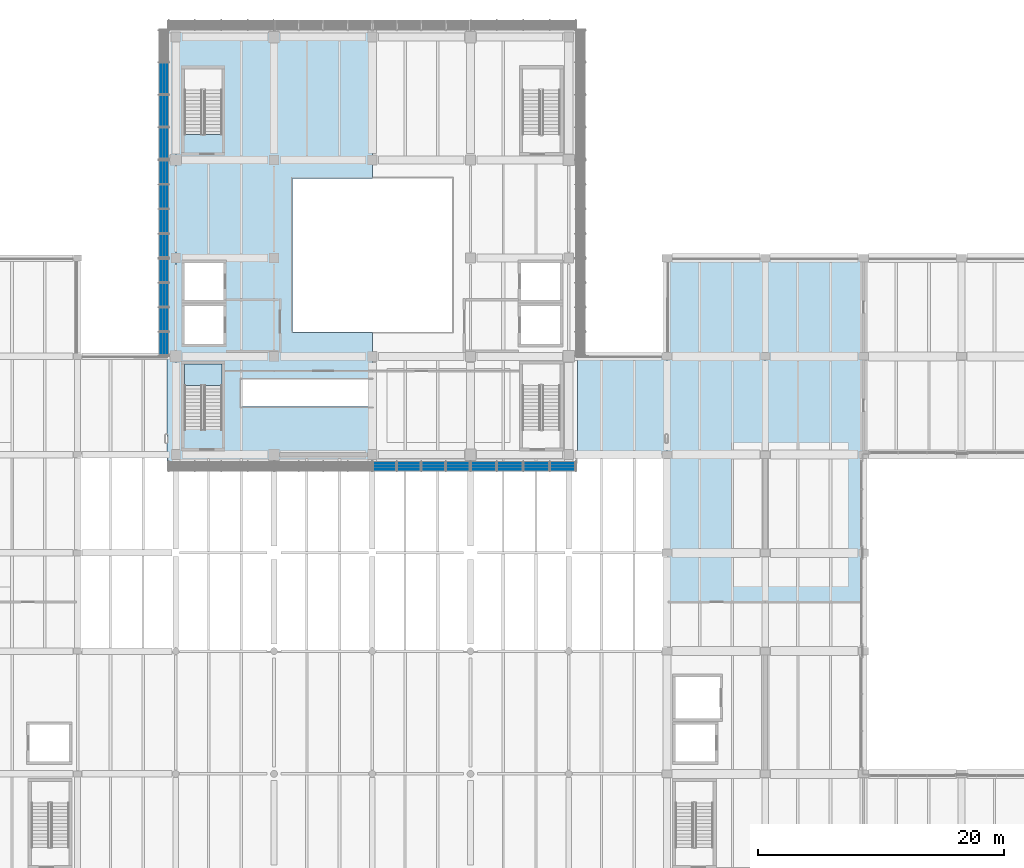
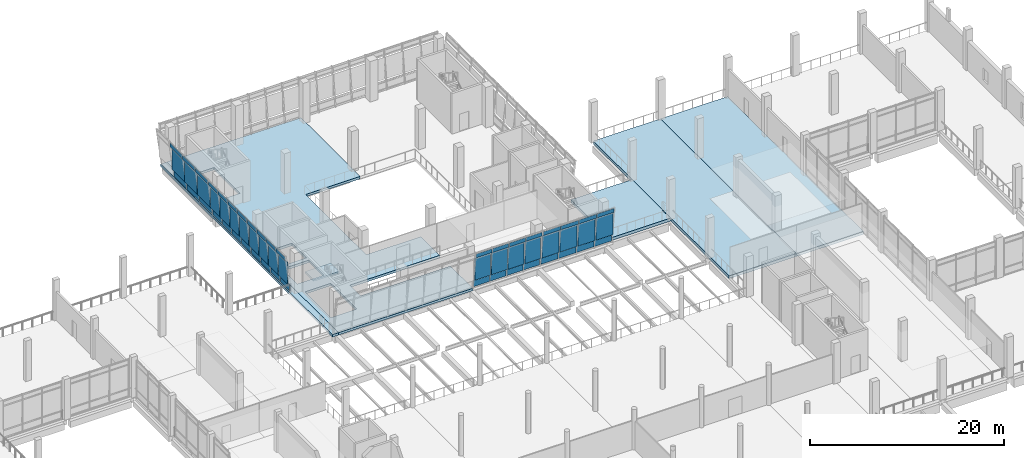
# One storey, part 28 of 61: 57 plates, 6 slabs, 6 elements without a shape of their own.
"""IFC4 building model written with IfcOpenShell, lengths in metres."""

from ifc_helpers import new_model, si_unit, direction, frame, origin, origin_2d, place, context, subcontext, project, spatial, polyline, rectangle, outline, extrude, material, layer, layer_set, type_object, element, aggregate, save


model = new_model("IFC4")

# Units and contexts
model_context = context("Model", 3, precision=1e-05, world=origin(), true_north=direction((0.0, 1.0)))
body_context = subcontext(model_context, "Body", "Model", "MODEL_VIEW")
ifc_project = project(units=[si_unit("LENGTHUNIT", "METRE"), si_unit("AREAUNIT", "SQUARE_METRE"), si_unit("VOLUMEUNIT", "CUBIC_METRE"), si_unit("PLANEANGLEUNIT", "RADIAN"), si_unit("MASSUNIT", "GRAM", prefix="KILO")], contexts=[model_context])

# Site, building, storey
site_placement = place(None, origin())
site = spatial("IfcSite", under=ifc_project, at=site_placement, CompositionType="ELEMENT")
building_placement = place(site_placement, origin())
building = spatial("IfcBuilding", under=site, at=building_placement, Name="Pecanmere Concourse Central Library", CompositionType="ELEMENT")
storey_placement = place(building_placement, frame((0.0, 0.0, 5.39990234375)))
storey = spatial("IfcBuildingStorey", under=building, at=storey_placement, Name="L02", CompositionType="ELEMENT", Elevation=5.39990234375)

# Curtain wall, plates
ifc_material_1 = material(Name="Anodized bronze aluminium alloy 6063-T6", Category="aluminium")
curtain_wall_type = type_object("IfcCurtainWallType", Name="CW_LEAN_BANDED", PredefinedType="USERDEFINED", material=ifc_material_1)
curtain_wall_1_placement = place(storey_placement, origin())
curtain_wall_1 = element("IfcCurtainWall", 1, at=curtain_wall_1_placement, inside=storey, type_object=curtain_wall_type, Name="Unitised Curtain Wall CW-01 L02-014", ObjectType="UNITISED CURTAIN WALL", PredefinedType="USERDEFINED")
ifc_material_2 = material(Name="White ceramic-fritted insulated spandrel glazing", Category="glass")
ifc_layer_1 = layer(ifc_material_2, 0.06396484375, Name="CWP_SPN_64")
ifc_layer_set_1 = layer_set([ifc_layer_1], Name="White ceramic-fritted insulated spandrel glazing")
plate_type_1 = type_object("IfcPlateType", Name="CWP_SPN_64", PredefinedType="CURTAIN_PANEL", material=ifc_layer_set_1)
plate_1_placement = place(storey_placement, frame((89.0224609375, 89.283447265625, 0.18017578125), z_axis=(0.0, 0.0, 1.0), x_axis=(1.0, 0.0, 0.0)))
plate_1 = element("IfcPlate", 2, at=plate_1_placement, type_object=plate_type_1, Name="CW-01 Spandrel Panel 1.1", PredefinedType="CURTAIN_PANEL", context=body_context, shape_type="SweptSolid", body=[
    extrude(rectangle(XDim=1.885009765625, YDim=0.0419921875, at=origin_2d()), origin(), (0.0, 0.0, 1.0), 0.780029296875),
])
plate_2_placement = place(storey_placement, frame((91.001220703125, 89.283447265625, 0.18017578125), z_axis=(0.0, 0.0, 1.0), x_axis=(1.0, 0.0, 0.0)))
plate_2 = element("IfcPlate", 3, at=plate_2_placement, type_object=plate_type_1, Name="CW-01 Spandrel Panel 2.1", PredefinedType="CURTAIN_PANEL", context=body_context, shape_type="SweptSolid", body=[
    extrude(rectangle(XDim=1.922607421875, YDim=0.0419921875, at=origin_2d()), origin(), (0.0, 0.0, 1.0), 0.780029296875),
])
plate_3_placement = place(storey_placement, frame((92.998779296875, 89.283447265625, 0.18017578125), z_axis=(0.0, 0.0, 1.0), x_axis=(1.0, 0.0, 0.0)))
plate_3 = element("IfcPlate", 4, at=plate_3_placement, type_object=plate_type_1, Name="CW-01 Spandrel Panel 3.1", PredefinedType="CURTAIN_PANEL", context=body_context, shape_type="SweptSolid", body=[
    extrude(rectangle(XDim=1.922607421875, YDim=0.0419921875, at=origin_2d()), origin(), (0.0, 0.0, 1.0), 0.780029296875),
])
plate_4_placement = place(storey_placement, frame((94.9775390625, 89.283447265625, 0.18017578125), z_axis=(0.0, 0.0, 1.0), x_axis=(1.0, 0.0, 0.0)))
plate_4 = element("IfcPlate", 5, at=plate_4_placement, type_object=plate_type_1, Name="CW-01 Spandrel Panel 4.1", PredefinedType="CURTAIN_PANEL", context=body_context, shape_type="SweptSolid", body=[
    extrude(rectangle(XDim=1.885009765625, YDim=0.0419921875, at=origin_2d()), origin(), (0.0, 0.0, 1.0), 0.780029296875),
])

curtain_wall_2_placement = place(storey_placement, origin())
curtain_wall_2 = element("IfcCurtainWall", 6, at=curtain_wall_2_placement, inside=storey, type_object=curtain_wall_type, Name="Unitised Curtain Wall CW-01 L02-015", ObjectType="UNITISED CURTAIN WALL", PredefinedType="USERDEFINED")
plate_5_placement = place(storey_placement, frame((97.09814453125, 89.283447265625, 0.18017578125), z_axis=(0.0, 0.0, 1.0), x_axis=(1.0, 0.0, 0.0)))
plate_5 = element("IfcPlate", 7, at=plate_5_placement, type_object=plate_type_1, Name="CW-01 Spandrel Panel 1.1", PredefinedType="CURTAIN_PANEL", context=body_context, shape_type="SweptSolid", body=[
    extrude(rectangle(XDim=2.036376953125, YDim=0.0419921875, at=origin_2d()), origin(), (0.0, 0.0, 1.0), 0.780029296875),
])
plate_6_placement = place(storey_placement, frame((99.228271484375, 89.283447265625, 0.18017578125), z_axis=(0.0, 0.0, 1.0), x_axis=(1.0, 0.0, 0.0)))
plate_6 = element("IfcPlate", 8, at=plate_6_placement, type_object=plate_type_1, Name="CW-01 Spandrel Panel 2.1", PredefinedType="CURTAIN_PANEL", context=body_context, shape_type="SweptSolid", body=[
    extrude(rectangle(XDim=2.073974609375, YDim=0.0419921875, at=origin_2d()), origin(), (0.0, 0.0, 1.0), 0.780029296875),
])
plate_7_placement = place(storey_placement, frame((101.377197265625, 89.283447265625, 0.18017578125), z_axis=(0.0, 0.0, 1.0), x_axis=(1.0, 0.0, 0.0)))
plate_7 = element("IfcPlate", 9, at=plate_7_placement, type_object=plate_type_1, Name="CW-01 Spandrel Panel 3.1", PredefinedType="CURTAIN_PANEL", context=body_context, shape_type="SweptSolid", body=[
    extrude(rectangle(XDim=2.073974609375, YDim=0.0419921875, at=origin_2d()), origin(), (0.0, 0.0, 1.0), 0.780029296875),
])
plate_8_placement = place(storey_placement, frame((103.50732421875, 89.283447265625, 0.18017578125), z_axis=(0.0, 0.0, 1.0), x_axis=(1.0, 0.0, 0.0)))
plate_8 = element("IfcPlate", 10, at=plate_8_placement, type_object=plate_type_1, Name="CW-01 Spandrel Panel 4.1", PredefinedType="CURTAIN_PANEL", context=body_context, shape_type="SweptSolid", body=[
    extrude(rectangle(XDim=2.036376953125, YDim=0.0419921875, at=origin_2d()), origin(), (0.0, 0.0, 1.0), 0.780029296875),
])

curtain_wall_3_placement = place(storey_placement, origin())
curtain_wall_3 = element("IfcCurtainWall", 11, at=curtain_wall_3_placement, inside=storey, type_object=curtain_wall_type, Name="Unitised Curtain Wall CW-01 L02-019", ObjectType="UNITISED CURTAIN WALL", PredefinedType="USERDEFINED")
plate_9_placement = place(storey_placement, frame((71.283447265625, 120.627197265625, 0.18017578125), z_axis=(0.0, 0.0, 1.0), x_axis=(0.0, -1.0, 0.0)))
plate_9 = element("IfcPlate", 12, at=plate_9_placement, type_object=plate_type_1, Name="CW-01 Spandrel Panel 2.1", PredefinedType="CURTAIN_PANEL", context=body_context, shape_type="SweptSolid", body=[
    extrude(rectangle(XDim=2.573974609375, YDim=0.0419921875, at=origin_2d()), origin(), (0.0, 0.0, 1.0), 0.780029296875),
])
plate_10_placement = place(storey_placement, frame((71.283447265625, 117.978271484375, 0.18017578125), z_axis=(0.0, 0.0, 1.0), x_axis=(0.0, -1.0, 0.0)))
plate_10 = element("IfcPlate", 13, at=plate_10_placement, type_object=plate_type_1, Name="CW-01 Spandrel Panel 3.1", PredefinedType="CURTAIN_PANEL", context=body_context, shape_type="SweptSolid", body=[
    extrude(rectangle(XDim=2.573974609375, YDim=0.0419921875, at=origin_2d()), origin(), (0.0, 0.0, 1.0), 0.780029296875),
])
plate_11_placement = place(storey_placement, frame((71.283447265625, 115.34814453125, 0.18017578125), z_axis=(0.0, 0.0, 1.0), x_axis=(0.0, -1.0, 0.0)))
plate_11 = element("IfcPlate", 14, at=plate_11_placement, type_object=plate_type_1, Name="CW-01 Spandrel Panel 4.1", PredefinedType="CURTAIN_PANEL", context=body_context, shape_type="SweptSolid", body=[
    extrude(rectangle(XDim=2.536376953125, YDim=0.0419921875, at=origin_2d()), origin(), (0.0, 0.0, 1.0), 0.780029296875),
])

curtain_wall_4_placement = place(storey_placement, origin())
curtain_wall_4 = element("IfcCurtainWall", 15, at=curtain_wall_4_placement, inside=storey, type_object=curtain_wall_type, Name="Unitised Curtain Wall CW-01 L02-020", ObjectType="UNITISED CURTAIN WALL", PredefinedType="USERDEFINED")
plate_12_placement = place(storey_placement, frame((71.283447265625, 112.9775390625, 0.18017578125), z_axis=(0.0, 0.0, 1.0), x_axis=(0.0, -1.0, 0.0)))
plate_12 = element("IfcPlate", 16, at=plate_12_placement, type_object=plate_type_1, Name="CW-01 Spandrel Panel 1.1", PredefinedType="CURTAIN_PANEL", context=body_context, shape_type="SweptSolid", body=[
    extrude(rectangle(XDim=1.885009765625, YDim=0.0419921875, at=origin_2d()), origin(), (0.0, 0.0, 1.0), 0.780029296875),
])
plate_13_placement = place(storey_placement, frame((71.283447265625, 110.998779296875, 0.18017578125), z_axis=(0.0, 0.0, 1.0), x_axis=(0.0, -1.0, 0.0)))
plate_13 = element("IfcPlate", 17, at=plate_13_placement, type_object=plate_type_1, Name="CW-01 Spandrel Panel 2.1", PredefinedType="CURTAIN_PANEL", context=body_context, shape_type="SweptSolid", body=[
    extrude(rectangle(XDim=1.922607421875, YDim=0.0419921875, at=origin_2d()), origin(), (0.0, 0.0, 1.0), 0.780029296875),
])
plate_14_placement = place(storey_placement, frame((71.283447265625, 109.001220703125, 0.18017578125), z_axis=(0.0, 0.0, 1.0), x_axis=(0.0, -1.0, 0.0)))
plate_14 = element("IfcPlate", 18, at=plate_14_placement, type_object=plate_type_1, Name="CW-01 Spandrel Panel 3.1", PredefinedType="CURTAIN_PANEL", context=body_context, shape_type="SweptSolid", body=[
    extrude(rectangle(XDim=1.922607421875, YDim=0.0419921875, at=origin_2d()), origin(), (0.0, 0.0, 1.0), 0.780029296875),
])
plate_15_placement = place(storey_placement, frame((71.283447265625, 107.0224609375, 0.18017578125), z_axis=(0.0, 0.0, 1.0), x_axis=(0.0, -1.0, 0.0)))
plate_15 = element("IfcPlate", 19, at=plate_15_placement, type_object=plate_type_1, Name="CW-01 Spandrel Panel 4.1", PredefinedType="CURTAIN_PANEL", context=body_context, shape_type="SweptSolid", body=[
    extrude(rectangle(XDim=1.885009765625, YDim=0.0419921875, at=origin_2d()), origin(), (0.0, 0.0, 1.0), 0.780029296875),
])

curtain_wall_5_placement = place(storey_placement, origin())
curtain_wall_5 = element("IfcCurtainWall", 20, at=curtain_wall_5_placement, inside=storey, type_object=curtain_wall_type, Name="Unitised Curtain Wall CW-01 L02-021", ObjectType="UNITISED CURTAIN WALL", PredefinedType="USERDEFINED")
plate_16_placement = place(storey_placement, frame((71.283447265625, 104.9775390625, 0.18017578125), z_axis=(0.0, 0.0, 1.0), x_axis=(0.0, -1.0, 0.0)))
plate_16 = element("IfcPlate", 21, at=plate_16_placement, type_object=plate_type_1, Name="CW-01 Spandrel Panel 1.1", PredefinedType="CURTAIN_PANEL", context=body_context, shape_type="SweptSolid", body=[
    extrude(rectangle(XDim=1.885009765625, YDim=0.0419921875, at=origin_2d()), origin(), (0.0, 0.0, 1.0), 0.780029296875),
])
plate_17_placement = place(storey_placement, frame((71.283447265625, 102.998779296875, 0.18017578125), z_axis=(0.0, 0.0, 1.0), x_axis=(0.0, -1.0, 0.0)))
plate_17 = element("IfcPlate", 22, at=plate_17_placement, type_object=plate_type_1, Name="CW-01 Spandrel Panel 2.1", PredefinedType="CURTAIN_PANEL", context=body_context, shape_type="SweptSolid", body=[
    extrude(rectangle(XDim=1.922607421875, YDim=0.0419921875, at=origin_2d()), origin(), (0.0, 0.0, 1.0), 0.780029296875),
])
plate_18_placement = place(storey_placement, frame((71.283447265625, 101.001220703125, 0.18017578125), z_axis=(0.0, 0.0, 1.0), x_axis=(0.0, -1.0, 0.0)))
plate_18 = element("IfcPlate", 23, at=plate_18_placement, type_object=plate_type_1, Name="CW-01 Spandrel Panel 3.1", PredefinedType="CURTAIN_PANEL", context=body_context, shape_type="SweptSolid", body=[
    extrude(rectangle(XDim=1.922607421875, YDim=0.0419921875, at=origin_2d()), origin(), (0.0, 0.0, 1.0), 0.780029296875),
])
plate_19_placement = place(storey_placement, frame((71.283447265625, 99.0224609375, 0.18017578125), z_axis=(0.0, 0.0, 1.0), x_axis=(0.0, -1.0, 0.0)))
plate_19 = element("IfcPlate", 24, at=plate_19_placement, type_object=plate_type_1, Name="CW-01 Spandrel Panel 4.1", PredefinedType="CURTAIN_PANEL", context=body_context, shape_type="SweptSolid", body=[
    extrude(rectangle(XDim=1.885009765625, YDim=0.0419921875, at=origin_2d()), origin(), (0.0, 0.0, 1.0), 0.780029296875),
])

# Plate
ifc_material_3 = material(Name="Low-iron clear insulated glazing", Category="glass")
ifc_layer_2 = layer(ifc_material_3, 0.0419921875, Name="CWP_VIS_42")
ifc_layer_set_2 = layer_set([ifc_layer_2], Name="Low-iron clear insulated glazing")
plate_type_2 = type_object("IfcPlateType", Name="CWP_VIS_42", PredefinedType="CURTAIN_PANEL", material=ifc_layer_set_2)
plate_20_placement = place(storey_placement, frame((89.0224609375, 89.02197265625, 1.14013671875), z_axis=(0.0, 0.0, 1.0), x_axis=(1.0, 0.0, 0.0)))
plate_20 = element("IfcPlate", 25, at=plate_20_placement, type_object=plate_type_2, Name="CW-01 Vision Panel 1.2", PredefinedType="CURTAIN_PANEL", context=body_context, shape_type="SweptSolid", body=[
    extrude(rectangle(XDim=1.885009765625, YDim=0.0419921875, at=origin_2d()), origin(), (0.0, 0.0, 1.0), 2.780029296875),
])

plate_21_placement = place(storey_placement, frame((89.0224609375, 88.780517578125, 4.10009765625), z_axis=(0.0, 0.0, 1.0), x_axis=(1.0, 0.0, 0.0)))
plate_21 = element("IfcPlate", 26, at=plate_21_placement, type_object=plate_type_2, Name="CW-01 Vision Panel 1.3", PredefinedType="CURTAIN_PANEL", context=body_context, shape_type="SweptSolid", body=[
    extrude(rectangle(XDim=1.885009765625, YDim=0.0419921875, at=origin_2d()), origin(), (0.0, 0.0, 1.0), 0.47998046875),
])

plate_22_placement = place(storey_placement, frame((91.001220703125, 89.02197265625, 1.14013671875), z_axis=(0.0, 0.0, 1.0), x_axis=(1.0, 0.0, 0.0)))
plate_22 = element("IfcPlate", 27, at=plate_22_placement, type_object=plate_type_2, Name="CW-01 Vision Panel 2.2", PredefinedType="CURTAIN_PANEL", context=body_context, shape_type="SweptSolid", body=[
    extrude(rectangle(XDim=1.922607421875, YDim=0.0419921875, at=origin_2d()), origin(), (0.0, 0.0, 1.0), 2.780029296875),
])

plate_23_placement = place(storey_placement, frame((91.001220703125, 88.780517578125, 4.10009765625), z_axis=(0.0, 0.0, 1.0), x_axis=(1.0, 0.0, 0.0)))
plate_23 = element("IfcPlate", 28, at=plate_23_placement, type_object=plate_type_2, Name="CW-01 Vision Panel 2.3", PredefinedType="CURTAIN_PANEL", context=body_context, shape_type="SweptSolid", body=[
    extrude(rectangle(XDim=1.922607421875, YDim=0.0419921875, at=origin_2d()), origin(), (0.0, 0.0, 1.0), 0.47998046875),
])

plate_24_placement = place(storey_placement, frame((92.998779296875, 89.02197265625, 1.14013671875), z_axis=(0.0, 0.0, 1.0), x_axis=(1.0, 0.0, 0.0)))
plate_24 = element("IfcPlate", 29, at=plate_24_placement, type_object=plate_type_2, Name="CW-01 Vision Panel 3.2", PredefinedType="CURTAIN_PANEL", context=body_context, shape_type="SweptSolid", body=[
    extrude(rectangle(XDim=1.922607421875, YDim=0.0419921875, at=origin_2d()), origin(), (0.0, 0.0, 1.0), 2.780029296875),
])

plate_25_placement = place(storey_placement, frame((92.998779296875, 88.780517578125, 4.10009765625), z_axis=(0.0, 0.0, 1.0), x_axis=(1.0, 0.0, 0.0)))
plate_25 = element("IfcPlate", 30, at=plate_25_placement, type_object=plate_type_2, Name="CW-01 Vision Panel 3.3", PredefinedType="CURTAIN_PANEL", context=body_context, shape_type="SweptSolid", body=[
    extrude(rectangle(XDim=1.922607421875, YDim=0.0419921875, at=origin_2d()), origin(), (0.0, 0.0, 1.0), 0.47998046875),
])

plate_26_placement = place(storey_placement, frame((94.9775390625, 89.02197265625, 1.14013671875), z_axis=(0.0, 0.0, 1.0), x_axis=(1.0, 0.0, 0.0)))
plate_26 = element("IfcPlate", 31, at=plate_26_placement, type_object=plate_type_2, Name="CW-01 Vision Panel 4.2", PredefinedType="CURTAIN_PANEL", context=body_context, shape_type="SweptSolid", body=[
    extrude(rectangle(XDim=1.885009765625, YDim=0.0419921875, at=origin_2d()), origin(), (0.0, 0.0, 1.0), 2.780029296875),
])

plate_27_placement = place(storey_placement, frame((94.9775390625, 88.780517578125, 4.10009765625), z_axis=(0.0, 0.0, 1.0), x_axis=(1.0, 0.0, 0.0)))
plate_27 = element("IfcPlate", 32, at=plate_27_placement, type_object=plate_type_2, Name="CW-01 Vision Panel 4.3", PredefinedType="CURTAIN_PANEL", context=body_context, shape_type="SweptSolid", body=[
    extrude(rectangle(XDim=1.885009765625, YDim=0.0419921875, at=origin_2d()), origin(), (0.0, 0.0, 1.0), 0.47998046875),
])

aggregate(curtain_wall_1, [plate_1, plate_20, plate_21, plate_2, plate_22, plate_23, plate_3, plate_24, plate_25, plate_4, plate_26, plate_27])

plate_28_placement = place(storey_placement, frame((97.09814453125, 89.02197265625, 1.14013671875), z_axis=(0.0, 0.0, 1.0), x_axis=(1.0, 0.0, 0.0)))
plate_28 = element("IfcPlate", 33, at=plate_28_placement, type_object=plate_type_2, Name="CW-01 Vision Panel 1.2", PredefinedType="CURTAIN_PANEL", context=body_context, shape_type="SweptSolid", body=[
    extrude(rectangle(XDim=2.036376953125, YDim=0.0419921875, at=origin_2d()), origin(), (0.0, 0.0, 1.0), 2.780029296875),
])

plate_29_placement = place(storey_placement, frame((97.09814453125, 88.780517578125, 4.10009765625), z_axis=(0.0, 0.0, 1.0), x_axis=(1.0, 0.0, 0.0)))
plate_29 = element("IfcPlate", 34, at=plate_29_placement, type_object=plate_type_2, Name="CW-01 Vision Panel 1.3", PredefinedType="CURTAIN_PANEL", context=body_context, shape_type="SweptSolid", body=[
    extrude(rectangle(XDim=2.036376953125, YDim=0.0419921875, at=origin_2d()), origin(), (0.0, 0.0, 1.0), 0.47998046875),
])

plate_30_placement = place(storey_placement, frame((99.228271484375, 89.02197265625, 1.14013671875), z_axis=(0.0, 0.0, 1.0), x_axis=(1.0, 0.0, 0.0)))
plate_30 = element("IfcPlate", 35, at=plate_30_placement, type_object=plate_type_2, Name="CW-01 Vision Panel 2.2", PredefinedType="CURTAIN_PANEL", context=body_context, shape_type="SweptSolid", body=[
    extrude(rectangle(XDim=2.073974609375, YDim=0.0419921875, at=origin_2d()), origin(), (0.0, 0.0, 1.0), 2.780029296875),
])

plate_31_placement = place(storey_placement, frame((99.228271484375, 88.780517578125, 4.10009765625), z_axis=(0.0, 0.0, 1.0), x_axis=(1.0, 0.0, 0.0)))
plate_31 = element("IfcPlate", 36, at=plate_31_placement, type_object=plate_type_2, Name="CW-01 Vision Panel 2.3", PredefinedType="CURTAIN_PANEL", context=body_context, shape_type="SweptSolid", body=[
    extrude(rectangle(XDim=2.073974609375, YDim=0.0419921875, at=origin_2d()), origin(), (0.0, 0.0, 1.0), 0.47998046875),
])

plate_32_placement = place(storey_placement, frame((101.377197265625, 89.02197265625, 1.14013671875), z_axis=(0.0, 0.0, 1.0), x_axis=(1.0, 0.0, 0.0)))
plate_32 = element("IfcPlate", 37, at=plate_32_placement, type_object=plate_type_2, Name="CW-01 Vision Panel 3.2", PredefinedType="CURTAIN_PANEL", context=body_context, shape_type="SweptSolid", body=[
    extrude(rectangle(XDim=2.073974609375, YDim=0.0419921875, at=origin_2d()), origin(), (0.0, 0.0, 1.0), 2.780029296875),
])

plate_33_placement = place(storey_placement, frame((101.377197265625, 88.780517578125, 4.10009765625), z_axis=(0.0, 0.0, 1.0), x_axis=(1.0, 0.0, 0.0)))
plate_33 = element("IfcPlate", 38, at=plate_33_placement, type_object=plate_type_2, Name="CW-01 Vision Panel 3.3", PredefinedType="CURTAIN_PANEL", context=body_context, shape_type="SweptSolid", body=[
    extrude(rectangle(XDim=2.073974609375, YDim=0.0419921875, at=origin_2d()), origin(), (0.0, 0.0, 1.0), 0.47998046875),
])

plate_34_placement = place(storey_placement, frame((103.50732421875, 89.02197265625, 1.14013671875), z_axis=(0.0, 0.0, 1.0), x_axis=(1.0, 0.0, 0.0)))
plate_34 = element("IfcPlate", 39, at=plate_34_placement, type_object=plate_type_2, Name="CW-01 Vision Panel 4.2", PredefinedType="CURTAIN_PANEL", context=body_context, shape_type="SweptSolid", body=[
    extrude(rectangle(XDim=2.036376953125, YDim=0.0419921875, at=origin_2d()), origin(), (0.0, 0.0, 1.0), 2.780029296875),
])

plate_35_placement = place(storey_placement, frame((103.50732421875, 88.780517578125, 4.10009765625), z_axis=(0.0, 0.0, 1.0), x_axis=(1.0, 0.0, 0.0)))
plate_35 = element("IfcPlate", 40, at=plate_35_placement, type_object=plate_type_2, Name="CW-01 Vision Panel 4.3", PredefinedType="CURTAIN_PANEL", context=body_context, shape_type="SweptSolid", body=[
    extrude(rectangle(XDim=2.036376953125, YDim=0.0419921875, at=origin_2d()), origin(), (0.0, 0.0, 1.0), 0.47998046875),
])

aggregate(curtain_wall_2, [plate_5, plate_28, plate_29, plate_6, plate_30, plate_31, plate_7, plate_32, plate_33, plate_8, plate_34, plate_35])

plate_36_placement = place(storey_placement, frame((71.02197265625, 120.627197265625, 1.14013671875), z_axis=(0.0, 0.0, 1.0), x_axis=(0.0, -1.0, 0.0)))
plate_36 = element("IfcPlate", 41, at=plate_36_placement, type_object=plate_type_2, Name="CW-01 Vision Panel 2.2", PredefinedType="CURTAIN_PANEL", context=body_context, shape_type="SweptSolid", body=[
    extrude(rectangle(XDim=2.573974609375, YDim=0.0419921875, at=origin_2d()), origin(), (0.0, 0.0, 1.0), 2.780029296875),
])

plate_37_placement = place(storey_placement, frame((70.780517578125, 120.627197265625, 4.10009765625), z_axis=(0.0, 0.0, 1.0), x_axis=(0.0, -1.0, 0.0)))
plate_37 = element("IfcPlate", 42, at=plate_37_placement, type_object=plate_type_2, Name="CW-01 Vision Panel 2.3", PredefinedType="CURTAIN_PANEL", context=body_context, shape_type="SweptSolid", body=[
    extrude(rectangle(XDim=2.573974609375, YDim=0.0419921875, at=origin_2d()), origin(), (0.0, 0.0, 1.0), 0.47998046875),
])

plate_38_placement = place(storey_placement, frame((71.02197265625, 117.978271484375, 1.14013671875), z_axis=(0.0, 0.0, 1.0), x_axis=(0.0, -1.0, 0.0)))
plate_38 = element("IfcPlate", 43, at=plate_38_placement, type_object=plate_type_2, Name="CW-01 Vision Panel 3.2", PredefinedType="CURTAIN_PANEL", context=body_context, shape_type="SweptSolid", body=[
    extrude(rectangle(XDim=2.573974609375, YDim=0.0419921875, at=origin_2d()), origin(), (0.0, 0.0, 1.0), 2.780029296875),
])

plate_39_placement = place(storey_placement, frame((70.780517578125, 117.978271484375, 4.10009765625), z_axis=(0.0, 0.0, 1.0), x_axis=(0.0, -1.0, 0.0)))
plate_39 = element("IfcPlate", 44, at=plate_39_placement, type_object=plate_type_2, Name="CW-01 Vision Panel 3.3", PredefinedType="CURTAIN_PANEL", context=body_context, shape_type="SweptSolid", body=[
    extrude(rectangle(XDim=2.573974609375, YDim=0.0419921875, at=origin_2d()), origin(), (0.0, 0.0, 1.0), 0.47998046875),
])

plate_40_placement = place(storey_placement, frame((71.02197265625, 115.34814453125, 1.14013671875), z_axis=(0.0, 0.0, 1.0), x_axis=(0.0, -1.0, 0.0)))
plate_40 = element("IfcPlate", 45, at=plate_40_placement, type_object=plate_type_2, Name="CW-01 Vision Panel 4.2", PredefinedType="CURTAIN_PANEL", context=body_context, shape_type="SweptSolid", body=[
    extrude(rectangle(XDim=2.536376953125, YDim=0.0419921875, at=origin_2d()), origin(), (0.0, 0.0, 1.0), 2.780029296875),
])

plate_41_placement = place(storey_placement, frame((70.780517578125, 115.34814453125, 4.10009765625), z_axis=(0.0, 0.0, 1.0), x_axis=(0.0, -1.0, 0.0)))
plate_41 = element("IfcPlate", 46, at=plate_41_placement, type_object=plate_type_2, Name="CW-01 Vision Panel 4.3", PredefinedType="CURTAIN_PANEL", context=body_context, shape_type="SweptSolid", body=[
    extrude(rectangle(XDim=2.536376953125, YDim=0.0419921875, at=origin_2d()), origin(), (0.0, 0.0, 1.0), 0.47998046875),
])

aggregate(curtain_wall_3, [plate_9, plate_36, plate_37, plate_10, plate_38, plate_39, plate_11, plate_40, plate_41])

plate_42_placement = place(storey_placement, frame((71.02197265625, 112.9775390625, 1.14013671875), z_axis=(0.0, 0.0, 1.0), x_axis=(0.0, -1.0, 0.0)))
plate_42 = element("IfcPlate", 47, at=plate_42_placement, type_object=plate_type_2, Name="CW-01 Vision Panel 1.2", PredefinedType="CURTAIN_PANEL", context=body_context, shape_type="SweptSolid", body=[
    extrude(rectangle(XDim=1.885009765625, YDim=0.0419921875, at=origin_2d()), origin(), (0.0, 0.0, 1.0), 2.780029296875),
])

plate_43_placement = place(storey_placement, frame((70.780517578125, 112.9775390625, 4.10009765625), z_axis=(0.0, 0.0, 1.0), x_axis=(0.0, -1.0, 0.0)))
plate_43 = element("IfcPlate", 48, at=plate_43_placement, type_object=plate_type_2, Name="CW-01 Vision Panel 1.3", PredefinedType="CURTAIN_PANEL", context=body_context, shape_type="SweptSolid", body=[
    extrude(rectangle(XDim=1.885009765625, YDim=0.0419921875, at=origin_2d()), origin(), (0.0, 0.0, 1.0), 0.47998046875),
])

plate_44_placement = place(storey_placement, frame((71.02197265625, 110.998779296875, 1.14013671875), z_axis=(0.0, 0.0, 1.0), x_axis=(0.0, -1.0, 0.0)))
plate_44 = element("IfcPlate", 49, at=plate_44_placement, type_object=plate_type_2, Name="CW-01 Vision Panel 2.2", PredefinedType="CURTAIN_PANEL", context=body_context, shape_type="SweptSolid", body=[
    extrude(rectangle(XDim=1.922607421875, YDim=0.0419921875, at=origin_2d()), origin(), (0.0, 0.0, 1.0), 2.780029296875),
])

plate_45_placement = place(storey_placement, frame((70.780517578125, 110.998779296875, 4.10009765625), z_axis=(0.0, 0.0, 1.0), x_axis=(0.0, -1.0, 0.0)))
plate_45 = element("IfcPlate", 50, at=plate_45_placement, type_object=plate_type_2, Name="CW-01 Vision Panel 2.3", PredefinedType="CURTAIN_PANEL", context=body_context, shape_type="SweptSolid", body=[
    extrude(rectangle(XDim=1.922607421875, YDim=0.0419921875, at=origin_2d()), origin(), (0.0, 0.0, 1.0), 0.47998046875),
])

plate_46_placement = place(storey_placement, frame((71.02197265625, 109.001220703125, 1.14013671875), z_axis=(0.0, 0.0, 1.0), x_axis=(0.0, -1.0, 0.0)))
plate_46 = element("IfcPlate", 51, at=plate_46_placement, type_object=plate_type_2, Name="CW-01 Vision Panel 3.2", PredefinedType="CURTAIN_PANEL", context=body_context, shape_type="SweptSolid", body=[
    extrude(rectangle(XDim=1.922607421875, YDim=0.0419921875, at=origin_2d()), origin(), (0.0, 0.0, 1.0), 2.780029296875),
])

plate_47_placement = place(storey_placement, frame((70.780517578125, 109.001220703125, 4.10009765625), z_axis=(0.0, 0.0, 1.0), x_axis=(0.0, -1.0, 0.0)))
plate_47 = element("IfcPlate", 52, at=plate_47_placement, type_object=plate_type_2, Name="CW-01 Vision Panel 3.3", PredefinedType="CURTAIN_PANEL", context=body_context, shape_type="SweptSolid", body=[
    extrude(rectangle(XDim=1.922607421875, YDim=0.0419921875, at=origin_2d()), origin(), (0.0, 0.0, 1.0), 0.47998046875),
])

plate_48_placement = place(storey_placement, frame((71.02197265625, 107.0224609375, 1.14013671875), z_axis=(0.0, 0.0, 1.0), x_axis=(0.0, -1.0, 0.0)))
plate_48 = element("IfcPlate", 53, at=plate_48_placement, type_object=plate_type_2, Name="CW-01 Vision Panel 4.2", PredefinedType="CURTAIN_PANEL", context=body_context, shape_type="SweptSolid", body=[
    extrude(rectangle(XDim=1.885009765625, YDim=0.0419921875, at=origin_2d()), origin(), (0.0, 0.0, 1.0), 2.780029296875),
])

plate_49_placement = place(storey_placement, frame((70.780517578125, 107.0224609375, 4.10009765625), z_axis=(0.0, 0.0, 1.0), x_axis=(0.0, -1.0, 0.0)))
plate_49 = element("IfcPlate", 54, at=plate_49_placement, type_object=plate_type_2, Name="CW-01 Vision Panel 4.3", PredefinedType="CURTAIN_PANEL", context=body_context, shape_type="SweptSolid", body=[
    extrude(rectangle(XDim=1.885009765625, YDim=0.0419921875, at=origin_2d()), origin(), (0.0, 0.0, 1.0), 0.47998046875),
])

aggregate(curtain_wall_4, [plate_12, plate_42, plate_43, plate_13, plate_44, plate_45, plate_14, plate_46, plate_47, plate_15, plate_48, plate_49])

plate_50_placement = place(storey_placement, frame((71.02197265625, 104.9775390625, 1.14013671875), z_axis=(0.0, 0.0, 1.0), x_axis=(0.0, -1.0, 0.0)))
plate_50 = element("IfcPlate", 55, at=plate_50_placement, type_object=plate_type_2, Name="CW-01 Vision Panel 1.2", PredefinedType="CURTAIN_PANEL", context=body_context, shape_type="SweptSolid", body=[
    extrude(rectangle(XDim=1.885009765625, YDim=0.0419921875, at=origin_2d()), origin(), (0.0, 0.0, 1.0), 2.780029296875),
])

plate_51_placement = place(storey_placement, frame((70.780517578125, 104.9775390625, 4.10009765625), z_axis=(0.0, 0.0, 1.0), x_axis=(0.0, -1.0, 0.0)))
plate_51 = element("IfcPlate", 56, at=plate_51_placement, type_object=plate_type_2, Name="CW-01 Vision Panel 1.3", PredefinedType="CURTAIN_PANEL", context=body_context, shape_type="SweptSolid", body=[
    extrude(rectangle(XDim=1.885009765625, YDim=0.0419921875, at=origin_2d()), origin(), (0.0, 0.0, 1.0), 0.47998046875),
])

plate_52_placement = place(storey_placement, frame((71.02197265625, 102.998779296875, 1.14013671875), z_axis=(0.0, 0.0, 1.0), x_axis=(0.0, -1.0, 0.0)))
plate_52 = element("IfcPlate", 57, at=plate_52_placement, type_object=plate_type_2, Name="CW-01 Vision Panel 2.2", PredefinedType="CURTAIN_PANEL", context=body_context, shape_type="SweptSolid", body=[
    extrude(rectangle(XDim=1.922607421875, YDim=0.0419921875, at=origin_2d()), origin(), (0.0, 0.0, 1.0), 2.780029296875),
])

plate_53_placement = place(storey_placement, frame((70.780517578125, 102.998779296875, 4.10009765625), z_axis=(0.0, 0.0, 1.0), x_axis=(0.0, -1.0, 0.0)))
plate_53 = element("IfcPlate", 58, at=plate_53_placement, type_object=plate_type_2, Name="CW-01 Vision Panel 2.3", PredefinedType="CURTAIN_PANEL", context=body_context, shape_type="SweptSolid", body=[
    extrude(rectangle(XDim=1.922607421875, YDim=0.0419921875, at=origin_2d()), origin(), (0.0, 0.0, 1.0), 0.47998046875),
])

plate_54_placement = place(storey_placement, frame((71.02197265625, 101.001220703125, 1.14013671875), z_axis=(0.0, 0.0, 1.0), x_axis=(0.0, -1.0, 0.0)))
plate_54 = element("IfcPlate", 59, at=plate_54_placement, type_object=plate_type_2, Name="CW-01 Vision Panel 3.2", PredefinedType="CURTAIN_PANEL", context=body_context, shape_type="SweptSolid", body=[
    extrude(rectangle(XDim=1.922607421875, YDim=0.0419921875, at=origin_2d()), origin(), (0.0, 0.0, 1.0), 2.780029296875),
])

plate_55_placement = place(storey_placement, frame((70.780517578125, 101.001220703125, 4.10009765625), z_axis=(0.0, 0.0, 1.0), x_axis=(0.0, -1.0, 0.0)))
plate_55 = element("IfcPlate", 60, at=plate_55_placement, type_object=plate_type_2, Name="CW-01 Vision Panel 3.3", PredefinedType="CURTAIN_PANEL", context=body_context, shape_type="SweptSolid", body=[
    extrude(rectangle(XDim=1.922607421875, YDim=0.0419921875, at=origin_2d()), origin(), (0.0, 0.0, 1.0), 0.47998046875),
])

plate_56_placement = place(storey_placement, frame((71.02197265625, 99.0224609375, 1.14013671875), z_axis=(0.0, 0.0, 1.0), x_axis=(0.0, -1.0, 0.0)))
plate_56 = element("IfcPlate", 61, at=plate_56_placement, type_object=plate_type_2, Name="CW-01 Vision Panel 4.2", PredefinedType="CURTAIN_PANEL", context=body_context, shape_type="SweptSolid", body=[
    extrude(rectangle(XDim=1.885009765625, YDim=0.0419921875, at=origin_2d()), origin(), (0.0, 0.0, 1.0), 2.780029296875),
])

plate_57_placement = place(storey_placement, frame((70.780517578125, 99.0224609375, 4.10009765625), z_axis=(0.0, 0.0, 1.0), x_axis=(0.0, -1.0, 0.0)))
plate_57 = element("IfcPlate", 62, at=plate_57_placement, type_object=plate_type_2, Name="CW-01 Vision Panel 4.3", PredefinedType="CURTAIN_PANEL", context=body_context, shape_type="SweptSolid", body=[
    extrude(rectangle(XDim=1.885009765625, YDim=0.0419921875, at=origin_2d()), origin(), (0.0, 0.0, 1.0), 0.47998046875),
])

aggregate(curtain_wall_5, [plate_16, plate_50, plate_51, plate_17, plate_52, plate_53, plate_18, plate_54, plate_55, plate_19, plate_56, plate_57])

# Slabs
ifc_material_4 = material(Name="Concrete C35/45", Category="concrete")
ifc_layer_3 = layer(ifc_material_4, 0.3701171875, Name="SLAB_COMPACT_370")
ifc_layer_set_3 = layer_set([ifc_layer_3], Name="Concrete C35/45")
slab_type_1 = type_object("IfcSlabType", Name="SLAB_COMPACT_370", PredefinedType="FLOOR", material=ifc_layer_set_3)
slab_1_placement = place(storey_placement, frame((0.0, 0.0, -0.369873046875)))
element("IfcSlab", 63, at=slab_1_placement, inside=storey, type_object=slab_type_1, Name="Floor Slab V2 L02-070", PredefinedType="FLOOR", context=body_context, shape_type="SweptSolid", body=[
    extrude(outline(polyline([(112.0, 91.60009765625), (111.919921875, 91.60009765625), (111.919921875, 91.0), (112.0, 91.0), (112.0, 90.0), (104.720458984375, 90.0), (104.720458984375, 98.0), (112.0, 98.0), (112.0, 91.60009765625)])), origin(), (0.0, 0.0, 1.0), 0.369873046875),
])
slab_2_placement = place(storey_placement, frame((0.0, 0.0, -0.369873046875)))
element("IfcSlab", 64, at=slab_2_placement, inside=storey, type_object=slab_type_1, Name="Floor Slab V2 L02-072", PredefinedType="FLOOR", context=body_context, shape_type="SweptSolid", body=[
    extrude(outline(polyline([(112.0, 106.0), (120.0, 106.0), (120.0, 78.0), (112.0, 78.0), (112.0, 90.0), (112.0, 98.0), (112.0, 106.0)])), origin(), (0.0, 0.0, 1.0), 0.369873046875),
])
slab_3_placement = place(storey_placement, frame((0.0, 0.0, -0.369873046875)))
element("IfcSlab", 65, at=slab_3_placement, inside=storey, type_object=slab_type_1, Name="Floor Slab V2 L02-074", PredefinedType="FLOOR", context=body_context, shape_type="SweptSolid", body=[
    extrude(outline(polyline([(128.0, 78.0), (120.0, 78.0), (120.0, 106.0), (128.0, 106.0), (128.0, 90.0), (128.0, 78.0)])), origin(), (0.0, 0.0, 1.0), 0.369873046875),
])

# Stair, slab
ifc_material_5 = material(Name="Concrete C35/45", Category="concrete")
stair_type = type_object("IfcStairType", Name="STAIR_TYPE_ST-01-1821", PredefinedType="USERDEFINED", material=ifc_material_5)
stair_placement = place(storey_placement, origin())
stair = element("IfcStair", 66, at=stair_placement, inside=storey, type_object=stair_type, Name="L02 Protected Stair ST-01", ObjectType="TWO_RETURN_STAIR", PredefinedType="USERDEFINED")
ifc_material_6 = material(Name="Concrete C35/45", Category="concrete")
ifc_layer_4 = layer(ifc_material_6, 0.199951171875, Name="SLAB_LANDING_200")
ifc_layer_set_4 = layer_set([ifc_layer_4], Name="Concrete C35/45")
slab_type_2 = type_object("IfcSlabType", Name="SLAB_LANDING_200", PredefinedType="LANDING", material=ifc_layer_set_4)
slab_4_placement = place(storey_placement, frame((0.0, 0.0, 2.35009765625)))
slab_4 = element("IfcSlab", 67, at=slab_4_placement, type_object=slab_type_2, Name="ST-01-1821 landing 1", PredefinedType="LANDING", context=body_context, shape_type="SweptSolid", body=[
    extrude(outline(polyline([(75.760009765625, 95.639892578125), (75.760009765625, 97.3701171875), (72.699951171875, 97.3701171875), (72.699951171875, 95.639892578125), (75.760009765625, 95.639892578125)])), origin(), (0.0, 0.0, 1.0), 0.199951171875),
])
aggregate(stair, [slab_4])

# Slabs
ifc_material_7 = material(Name="Concrete C35/45", Category="concrete")
ifc_layer_5 = layer(ifc_material_7, 0.300048828125, Name="SLAB_STACK_300")
ifc_layer_set_5 = layer_set([ifc_layer_5], Name="Concrete C35/45")
slab_type_3 = type_object("IfcSlabType", Name="SLAB_STACK_300", PredefinedType="FLOOR", material=ifc_layer_set_5)
slab_5_placement = place(storey_placement, frame((0.0, 0.0, -0.2998046875)))
element("IfcSlab", 68, at=slab_5_placement, inside=storey, type_object=slab_type_3, Name="Floor Slab V1 L02-066", PredefinedType="FLOOR", context=body_context, shape_type="SweptSolid", body=[
    extrude(outline(polyline([(72.0, 124.720458984375), (72.0, 89.279541015625), (71.279541015625, 89.279541015625), (71.279541015625, 124.720458984375), (72.0, 124.720458984375)])), origin(), (0.0, 0.0, 1.0), 0.2998046875),
])
slab_6_placement = place(storey_placement, frame((0.0, 0.0, -0.2998046875)))
element("IfcSlab", 69, at=slab_6_placement, inside=storey, type_object=slab_type_3, Name="Floor Slab V1 L02-067", PredefinedType="FLOOR", context=body_context, shape_type="SweptSolid", body=[
    extrude(outline(polyline([(72.0, 89.279541015625), (72.0, 124.720458984375), (88.0, 124.720458984375), (88.0, 112.5), (81.5, 112.5), (81.5, 100.0), (88.0, 100.0), (88.0, 96.10009765625), (77.300048828125, 96.10009765625), (77.300048828125, 93.89990234375), (88.0, 93.89990234375), (88.0, 89.279541015625), (72.0, 89.279541015625)]), holes=[polyline([(75.760009765625, 97.3701171875), (72.699951171875, 97.3701171875), (72.699951171875, 92.030029296875), (75.760009765625, 92.030029296875), (75.760009765625, 97.3701171875)]), polyline([(75.89990234375, 102.10009765625), (72.699951171875, 102.10009765625), (72.699951171875, 99.0), (75.89990234375, 99.0), (75.89990234375, 102.10009765625)]), polyline([(75.89990234375, 102.60009765625), (75.89990234375, 105.60009765625), (72.699951171875, 105.60009765625), (72.699951171875, 102.60009765625), (75.89990234375, 102.60009765625)]), polyline([(75.760009765625, 121.419921875), (72.699951171875, 121.419921875), (72.699951171875, 116.080078125), (75.760009765625, 116.080078125), (75.760009765625, 121.419921875)])]), origin(), (0.0, 0.0, 1.0), 0.2998046875),
])

save(model, "model.ifc")
